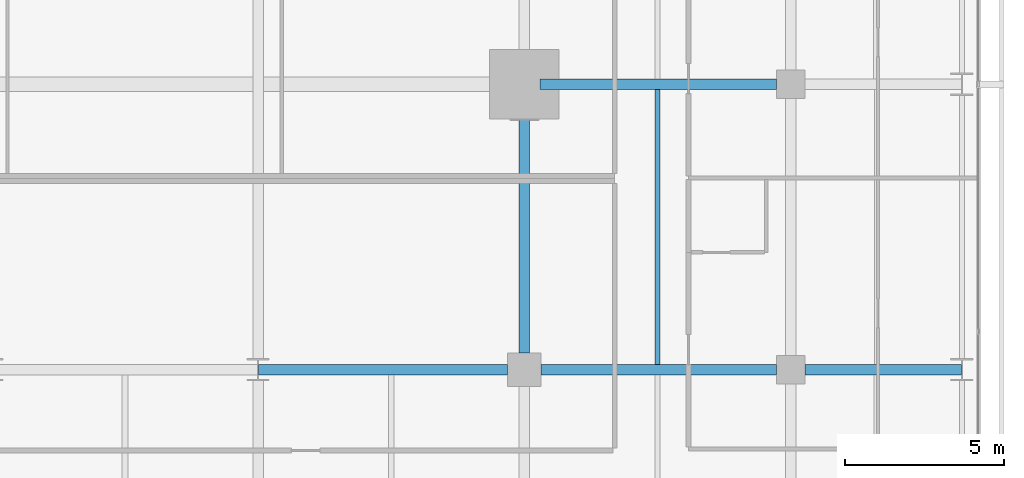
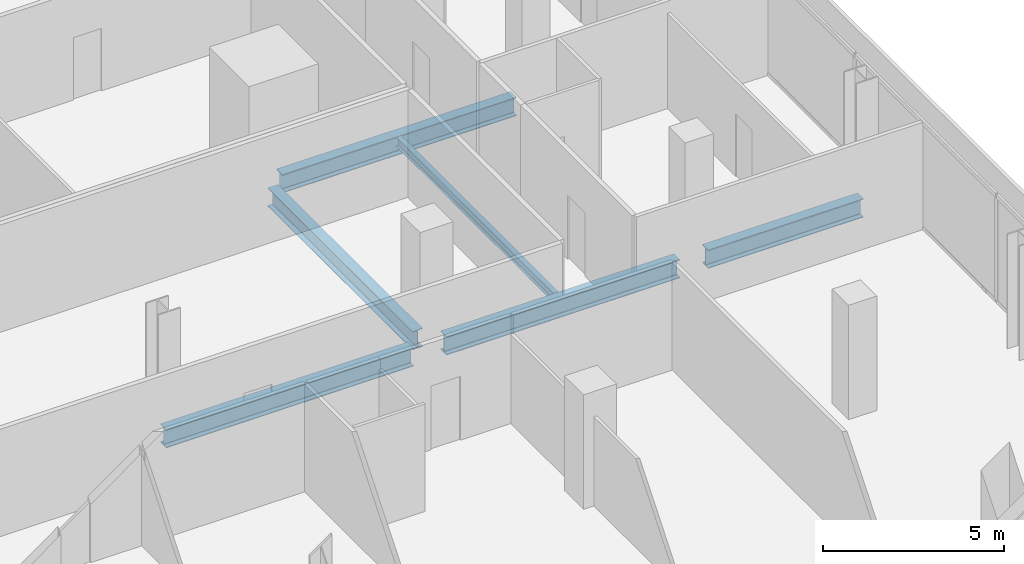
# One storey, part 18 of 40: 6 beams.
"""IFC4 building model written with IfcOpenShell, lengths in metres."""

from ifc_helpers import new_model, si_unit, direction, frame, origin, origin_2d, place, context, subcontext, project, spatial, i_section, extrude, material, material_profile, profile_set, type_object, element, save


model = new_model("IFC4")

# Units and contexts
model_context = context("Model", 3, precision=1e-05, world=origin(), true_north=direction((0.0, 1.0)))
body_context = subcontext(model_context, "Body", "Model", "MODEL_VIEW")
ifc_project = project(units=[si_unit("LENGTHUNIT", "METRE"), si_unit("AREAUNIT", "SQUARE_METRE"), si_unit("VOLUMEUNIT", "CUBIC_METRE"), si_unit("PLANEANGLEUNIT", "RADIAN"), si_unit("MASSUNIT", "GRAM", prefix="KILO")], contexts=[model_context])

# Site, building, storey
site_placement = place(None, origin())
site = spatial("IfcSite", under=ifc_project, at=site_placement, CompositionType="ELEMENT")
building_placement = place(site_placement, origin())
building = spatial("IfcBuilding", under=site, at=building_placement, Name="Maruvema Waterfront Hotel and Observation Tower", CompositionType="ELEMENT")
storey_placement = place(building_placement, frame((0.0, 0.0, 73.14990234375)))
storey = spatial("IfcBuildingStorey", under=building, at=storey_placement, Name="L17", CompositionType="ELEMENT", Elevation=73.14990234375)

# Beams
ifc_material_1 = material(Name="Steel ASTM A572 Grade 50", Category="steel")
ifc_material_profile_1 = material_profile(ifc_material_1, i_section(OverallWidth=0.326904296875, OverallDepth=0.6220703125, WebThickness=0.015380859375, FlangeThickness=0.0244140625, FilletRadius=0.01806640625, at=origin_2d()), Name="W610x195.0")
ifc_profile_set_1 = profile_set([ifc_material_profile_1], Name="Steel ASTM A572 Grade 50")
beam_type_1 = type_object("IfcBeamType", Name="Primary Floor Girder W610x195.0", PredefinedType="BEAM", material=ifc_profile_set_1)
beam_1_placement = place(storey_placement, frame((42.013916015625, 18.0, -0.55078125), z_axis=(1.0, 0.0, 0.0), x_axis=(0.0, 1.0, 0.0)))
element("IfcBeam", 1, at=beam_1_placement, inside=storey, type_object=beam_type_1, Name="L17 Floor Girder EW-17", PredefinedType="BEAM", context=body_context, shape_type="SweptSolid", body=[
    extrude(i_section(OverallWidth=0.326904296875, OverallDepth=0.6220703125, WebThickness=0.015380859375, FlangeThickness=0.0244140625, FilletRadius=0.01806640625, at=origin_2d()), origin(), (0.0, 0.0, 1.0), 7.861083984375),
])
beam_2_placement = place(storey_placement, frame((50.925048828125, 18.0, -0.55078125), z_axis=(1.0, 0.0, 0.0), x_axis=(0.0, 1.0, 0.0)))
element("IfcBeam", 2, at=beam_2_placement, inside=storey, type_object=beam_type_1, Name="L17 Floor Girder EW-18", PredefinedType="BEAM", context=body_context, shape_type="SweptSolid", body=[
    extrude(i_section(OverallWidth=0.326904296875, OverallDepth=0.6220703125, WebThickness=0.015380859375, FlangeThickness=0.0244140625, FilletRadius=0.01806640625, at=origin_2d()), origin(), (0.0, 0.0, 1.0), 7.425048828125),
])
beam_3_placement = place(storey_placement, frame((59.25, 18.0, -0.55078125), z_axis=(1.0, 0.0, 0.0), x_axis=(0.0, 1.0, 0.0)))
element("IfcBeam", 3, at=beam_3_placement, inside=storey, type_object=beam_type_1, Name="L17 Floor Girder EW-19", PredefinedType="BEAM", context=body_context, shape_type="SweptSolid", body=[
    extrude(i_section(OverallWidth=0.326904296875, OverallDepth=0.6220703125, WebThickness=0.015380859375, FlangeThickness=0.0244140625, FilletRadius=0.01806640625, at=origin_2d()), origin(), (0.0, 0.0, 1.0), 4.93603515625),
])
beam_4_placement = place(storey_placement, frame((50.89990234375, 27.0, -0.55078125), z_axis=(1.0, 0.0, 0.0), x_axis=(0.0, 1.0, 0.0)))
element("IfcBeam", 4, at=beam_4_placement, inside=storey, type_object=beam_type_1, Name="L17 Floor Girder EW-23", PredefinedType="BEAM", context=body_context, shape_type="SweptSolid", body=[
    extrude(i_section(OverallWidth=0.326904296875, OverallDepth=0.6220703125, WebThickness=0.015380859375, FlangeThickness=0.0244140625, FilletRadius=0.01806640625, at=origin_2d()), origin(), (0.0, 0.0, 1.0), 7.4501953125),
])
beam_5_placement = place(storey_placement, frame((50.39990234375, 18.52490234375, -0.55078125), z_axis=(0.0, 1.0, 0.0), x_axis=(-1.0, 0.0, 0.0)))
element("IfcBeam", 5, at=beam_5_placement, inside=storey, type_object=beam_type_1, Name="L17 Floor Girder NS-24", PredefinedType="BEAM", context=body_context, shape_type="SweptSolid", body=[
    extrude(i_section(OverallWidth=0.326904296875, OverallDepth=0.6220703125, WebThickness=0.015380859375, FlangeThickness=0.0244140625, FilletRadius=0.01806640625, at=origin_2d()), origin(), (0.0, 0.0, 1.0), 7.97509765625),
])
ifc_material_2 = material(Name="Steel ASTM A572 Grade 50", Category="steel")
ifc_material_profile_2 = material_profile(ifc_material_2, i_section(OverallWidth=0.1650390625, OverallDepth=0.31005859375, WebThickness=0.005859375, FlangeThickness=0.009765625, FilletRadius=0.012939453125, at=origin_2d()), Name="W310x38.7")
ifc_profile_set_2 = profile_set([ifc_material_profile_2], Name="Steel ASTM A572 Grade 50")
beam_type_2 = type_object("IfcBeamType", Name="Secondary Floor Joist W310x38.7", PredefinedType="JOIST", material=ifc_profile_set_2)
beam_6_placement = place(storey_placement, frame((54.60009765625, 18.16357421875, -0.39501953125), z_axis=(0.0, 1.0, 0.0), x_axis=(-1.0, 0.0, 0.0)))
element("IfcBeam", 6, at=beam_6_placement, inside=storey, type_object=beam_type_2, Name="L17 Secondary Floor Joist JS-18", PredefinedType="JOIST", context=body_context, shape_type="SweptSolid", body=[
    extrude(i_section(OverallWidth=0.1650390625, OverallDepth=0.31005859375, WebThickness=0.005859375, FlangeThickness=0.009765625, FilletRadius=0.012939453125, at=origin_2d()), origin(), (0.0, 0.0, 1.0), 8.6728515625),
])

save(model, "model.ifc")
